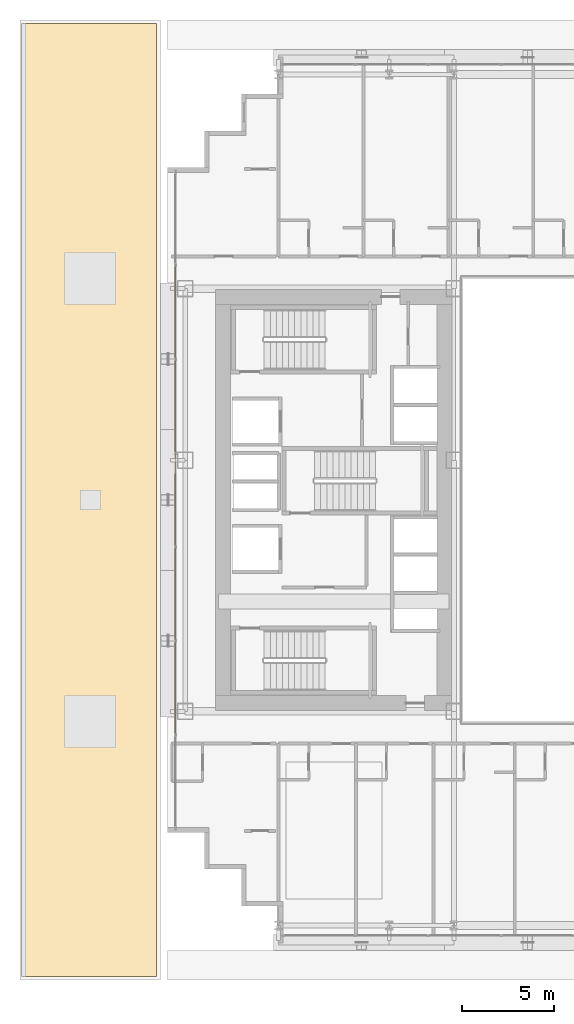
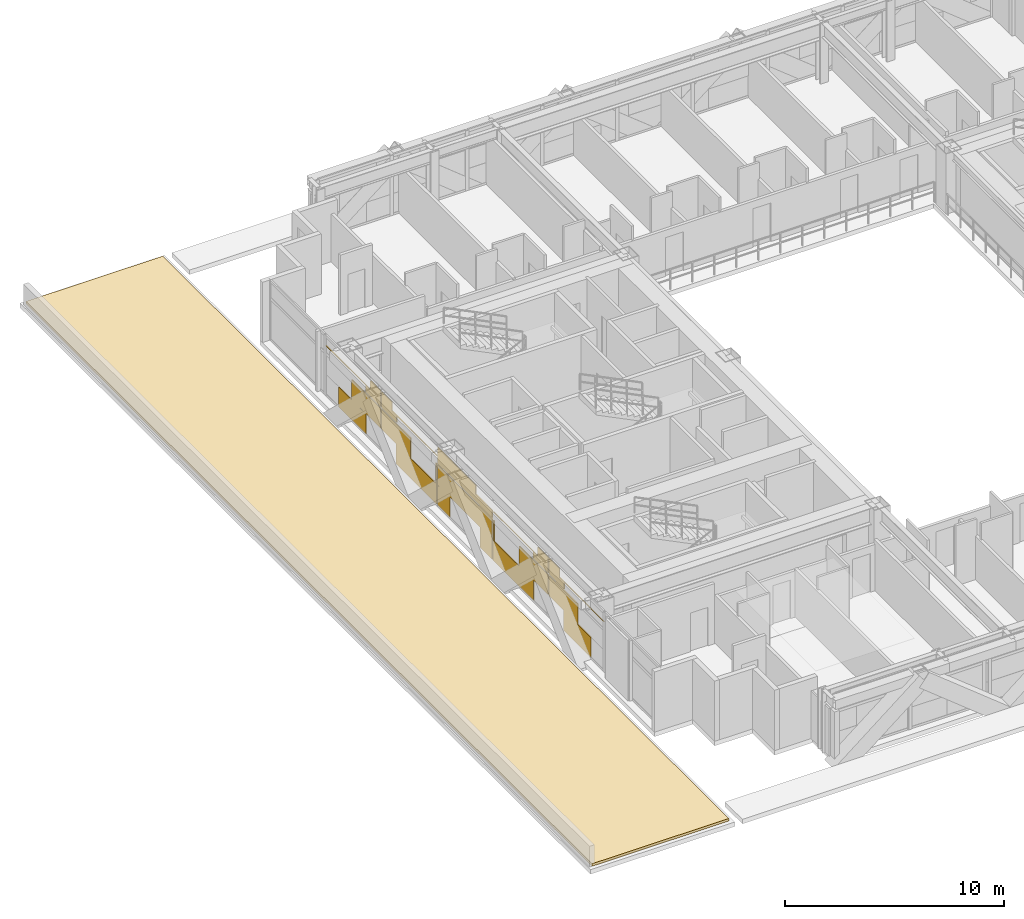
# One storey, part 32 of 35: 2 coverings.
"""IFC4 building model written with IfcOpenShell, lengths in metres."""

from ifc_helpers import new_model, si_unit, direction, frame, origin, origin_2d, place, context, subcontext, project, spatial, polyline, rectangle, outline, extrude, material, layer, layer_set, type_object, element, save


model = new_model("IFC4")

# Units and contexts
model_context = context("Model", 3, precision=1e-05, world=origin(), true_north=direction((0.0, 1.0)))
body_context = subcontext(model_context, "Body", "Model", "MODEL_VIEW")
ifc_project = project(units=[si_unit("LENGTHUNIT", "METRE"), si_unit("AREAUNIT", "SQUARE_METRE"), si_unit("VOLUMEUNIT", "CUBIC_METRE"), si_unit("PLANEANGLEUNIT", "RADIAN"), si_unit("MASSUNIT", "GRAM", prefix="KILO")], contexts=[model_context])

# Site, building, storey
site_placement = place(None, origin())
site = spatial("IfcSite", under=ifc_project, at=site_placement, CompositionType="ELEMENT")
building_placement = place(site_placement, origin())
building = spatial("IfcBuilding", under=site, at=building_placement, Name="Ocotamira Hotel", CompositionType="ELEMENT")
storey_placement = place(building_placement, frame((0.0, 0.0, 34.800048828125)))
storey = spatial("IfcBuildingStorey", under=building, at=storey_placement, Name="L07", CompositionType="ELEMENT", Elevation=34.800048828125)

# Coverings
ifc_material_1 = material(Name="Insulated pale-metal aluminium spandrel panel", Category="aluminium")
ifc_layer_1 = layer(ifc_material_1, 0.044921875)
ifc_layer_set_1 = layer_set([ifc_layer_1], Name="Insulated pale-metal aluminium spandrel panel")
covering_type_1 = type_object("IfcCoveringType", Name="COV-INFILL-45", PredefinedType="CLADDING", material=ifc_layer_set_1)
covering_1_placement = place(storey_placement, origin())
element("IfcCovering", 1, at=covering_1_placement, inside=storey, type_object=covering_type_1, Name="L07 Curtain Wall Infill CW-2 CW-L07-W", PredefinedType="CLADDING", context=body_context, shape_type="SweptSolid", body=[
    extrude(rectangle(XDim=2.49658203125, YDim=0.044921875, at=origin_2d()), frame((8.419921875, 15.752685546875, 0.075439453125), z_axis=(0.0, 0.0, 1.0), x_axis=(0.0, 1.0, 0.0)), (0.0, 0.0, 1.0), 1.11767578125),
    extrude(rectangle(XDim=2.640625, YDim=0.044921875, at=origin_2d()), frame((8.419921875, 17.010498046875, 1.194091796875), z_axis=(0.0, 0.0, 1.0), x_axis=(0.0, 1.0, 0.0)), (0.0, 0.0, 1.0), 1.11767578125),
    extrude(rectangle(XDim=5.004638671875, YDim=0.044921875, at=origin_2d()), frame((8.419921875, 15.82861328125, 2.755859375), z_axis=(0.0, 0.0, 1.0), x_axis=(0.0, 1.0, 0.0)), (0.0, 0.0, 1.0), 0.033203125),
    extrude(rectangle(XDim=1.375, YDim=0.044921875, at=origin_2d()), frame((8.419921875, 17.643310546875, 2.38818359375), z_axis=(0.0, 0.0, 1.0), x_axis=(0.0, 1.0, 0.0)), (0.0, 0.0, 1.0), 0.366943359375),
    extrude(rectangle(XDim=0.948486328125, YDim=0.044921875, at=origin_2d()), frame((8.419921875, 17.856689453125, 2.79052734375), z_axis=(0.0, 0.0, 1.0), x_axis=(0.0, 1.0, 0.0)), (0.0, 0.0, 1.0), 0.484130859375),
    extrude(rectangle(XDim=2.631103515625, YDim=0.044921875, at=origin_2d()), frame((8.419921875, 19.727294921875, 1.194091796875), z_axis=(0.0, 0.0, 1.0), x_axis=(0.0, 1.0, 0.0)), (0.0, 0.0, 1.0), 1.11767578125),
    extrude(rectangle(XDim=3.684326171875, YDim=0.044921875, at=origin_2d()), frame((8.419921875, 21.574462890625, 0.075439453125), z_axis=(0.0, 0.0, 1.0), x_axis=(0.0, 1.0, 0.0)), (0.0, 0.0, 1.0), 1.11767578125),
    extrude(rectangle(XDim=0.093017578125, YDim=0.044921875, at=origin_2d()), frame((8.419921875, 23.3701171875, 1.194091796875), z_axis=(0.0, 0.0, 1.0), x_axis=(0.0, 1.0, 0.0)), (0.0, 0.0, 1.0), 1.11767578125),
    extrude(rectangle(XDim=1.365478515625, YDim=0.044921875, at=origin_2d()), frame((8.419921875, 19.094482421875, 2.38818359375), z_axis=(0.0, 0.0, 1.0), x_axis=(0.0, 1.0, 0.0)), (0.0, 0.0, 1.0), 0.366943359375),
    extrude(rectangle(XDim=5.004638671875, YDim=0.044921875, at=origin_2d()), frame((8.419921875, 20.914306640625, 2.755859375), z_axis=(0.0, 0.0, 1.0), x_axis=(0.0, 1.0, 0.0)), (0.0, 0.0, 1.0), 0.033203125),
    extrude(rectangle(XDim=0.93896484375, YDim=0.044921875, at=origin_2d()), frame((8.419921875, 18.88134765625, 2.79052734375), z_axis=(0.0, 0.0, 1.0), x_axis=(0.0, 1.0, 0.0)), (0.0, 0.0, 1.0), 0.484130859375),
    extrude(rectangle(XDim=1.13671875, YDim=0.044921875, at=origin_2d()), frame((8.419921875, 24.06591796875, 0.075439453125), z_axis=(0.0, 0.0, 1.0), x_axis=(0.0, 1.0, 0.0)), (0.0, 0.0, 1.0), 1.11767578125),
    extrude(rectangle(XDim=5.004638671875, YDim=0.044921875, at=origin_2d()), frame((8.419921875, 26.0, 1.194091796875), z_axis=(0.0, 0.0, 1.0), x_axis=(0.0, 1.0, 0.0)), (0.0, 0.0, 1.0), 1.11767578125),
    extrude(rectangle(XDim=1.13671875, YDim=0.044921875, at=origin_2d()), frame((8.419921875, 27.93408203125, 0.075439453125), z_axis=(0.0, 0.0, 1.0), x_axis=(0.0, 1.0, 0.0)), (0.0, 0.0, 1.0), 1.11767578125),
    extrude(rectangle(XDim=5.004638671875, YDim=0.044921875, at=origin_2d()), frame((8.419921875, 26.0, 2.387939453125), z_axis=(0.0, 0.0, 1.0), x_axis=(0.0, 1.0, 0.0)), (0.0, 0.0, 1.0), 0.4013671875),
    extrude(rectangle(XDim=3.486572265625, YDim=0.044921875, at=origin_2d()), frame((8.419921875, 26.759033203125, 2.79052734375), z_axis=(0.0, 0.0, 1.0), x_axis=(0.0, 1.0, 0.0)), (0.0, 0.0, 1.0), 0.484130859375),
    extrude(rectangle(XDim=3.684326171875, YDim=0.044921875, at=origin_2d()), frame((8.419921875, 30.425537109375, 0.075439453125), z_axis=(0.0, 0.0, 1.0), x_axis=(0.0, 1.0, 0.0)), (0.0, 0.0, 1.0), 1.11767578125),
    extrude(rectangle(XDim=0.093017578125, YDim=0.044921875, at=origin_2d()), frame((8.419921875, 28.6298828125, 1.194091796875), z_axis=(0.0, 0.0, 1.0), x_axis=(0.0, 1.0, 0.0)), (0.0, 0.0, 1.0), 1.11767578125),
    extrude(rectangle(XDim=2.631103515625, YDim=0.044921875, at=origin_2d()), frame((8.419921875, 32.272705078125, 1.194091796875), z_axis=(0.0, 0.0, 1.0), x_axis=(0.0, 1.0, 0.0)), (0.0, 0.0, 1.0), 1.11767578125),
    extrude(rectangle(XDim=5.004638671875, YDim=0.044921875, at=origin_2d()), frame((8.419921875, 31.085693359375, 2.755859375), z_axis=(0.0, 0.0, 1.0), x_axis=(0.0, 1.0, 0.0)), (0.0, 0.0, 1.0), 0.033203125),
    extrude(rectangle(XDim=1.365478515625, YDim=0.044921875, at=origin_2d()), frame((8.419921875, 32.905517578125, 2.38818359375), z_axis=(0.0, 0.0, 1.0), x_axis=(0.0, 1.0, 0.0)), (0.0, 0.0, 1.0), 0.366943359375),
    extrude(rectangle(XDim=0.93896484375, YDim=0.044921875, at=origin_2d()), frame((8.419921875, 33.11865234375, 2.79052734375), z_axis=(0.0, 0.0, 1.0), x_axis=(0.0, 1.0, 0.0)), (0.0, 0.0, 1.0), 0.484130859375),
    extrude(rectangle(XDim=2.640625, YDim=0.044921875, at=origin_2d()), frame((8.419921875, 34.989501953125, 1.194091796875), z_axis=(0.0, 0.0, 1.0), x_axis=(0.0, 1.0, 0.0)), (0.0, 0.0, 1.0), 1.11767578125),
    extrude(rectangle(XDim=2.49658203125, YDim=0.044921875, at=origin_2d()), frame((8.419921875, 36.247314453125, 0.075439453125), z_axis=(0.0, 0.0, 1.0), x_axis=(0.0, 1.0, 0.0)), (0.0, 0.0, 1.0), 1.11767578125),
    extrude(rectangle(XDim=1.375, YDim=0.044921875, at=origin_2d()), frame((8.419921875, 34.356689453125, 2.38818359375), z_axis=(0.0, 0.0, 1.0), x_axis=(0.0, 1.0, 0.0)), (0.0, 0.0, 1.0), 0.366943359375),
    extrude(rectangle(XDim=5.004638671875, YDim=0.044921875, at=origin_2d()), frame((8.419921875, 36.17138671875, 2.755859375), z_axis=(0.0, 0.0, 1.0), x_axis=(0.0, 1.0, 0.0)), (0.0, 0.0, 1.0), 0.033203125),
    extrude(rectangle(XDim=0.948486328125, YDim=0.044921875, at=origin_2d()), frame((8.419921875, 34.143310546875, 2.79052734375), z_axis=(0.0, 0.0, 1.0), x_axis=(0.0, 1.0, 0.0)), (0.0, 0.0, 1.0), 0.484130859375),
])
ifc_material_2 = material(Name="High-albedo cool-roof elastomeric membrane and polyiso insulation", Category="concrete")
ifc_layer_2 = layer(ifc_material_2, 0.139892578125)
ifc_layer_set_2 = layer_set([ifc_layer_2], Name="High-albedo cool-roof elastomeric membrane and polyiso insulation")
covering_type_2 = type_object("IfcCoveringType", Name="COV-ROOF-140", PredefinedType="ROOFING", material=ifc_layer_set_2)
covering_2_placement = place(storey_placement, origin())
element("IfcCovering", 2, at=covering_2_placement, inside=storey, type_object=covering_type_2, Name="L07 Cool-Roof Membrane PODW", PredefinedType="ROOFING", context=body_context, shape_type="SweptSolid", body=[
    extrude(outline(polyline([(0.199951171875, 0.199951171875), (7.39990234375, 0.199951171875), (7.39990234375, 51.800048828125), (0.199951171875, 51.800048828125), (0.199951171875, 0.199951171875)])), origin(), (0.0, 0.0, 1.0), 0.139892578125),
])

save(model, "model.ifc")
